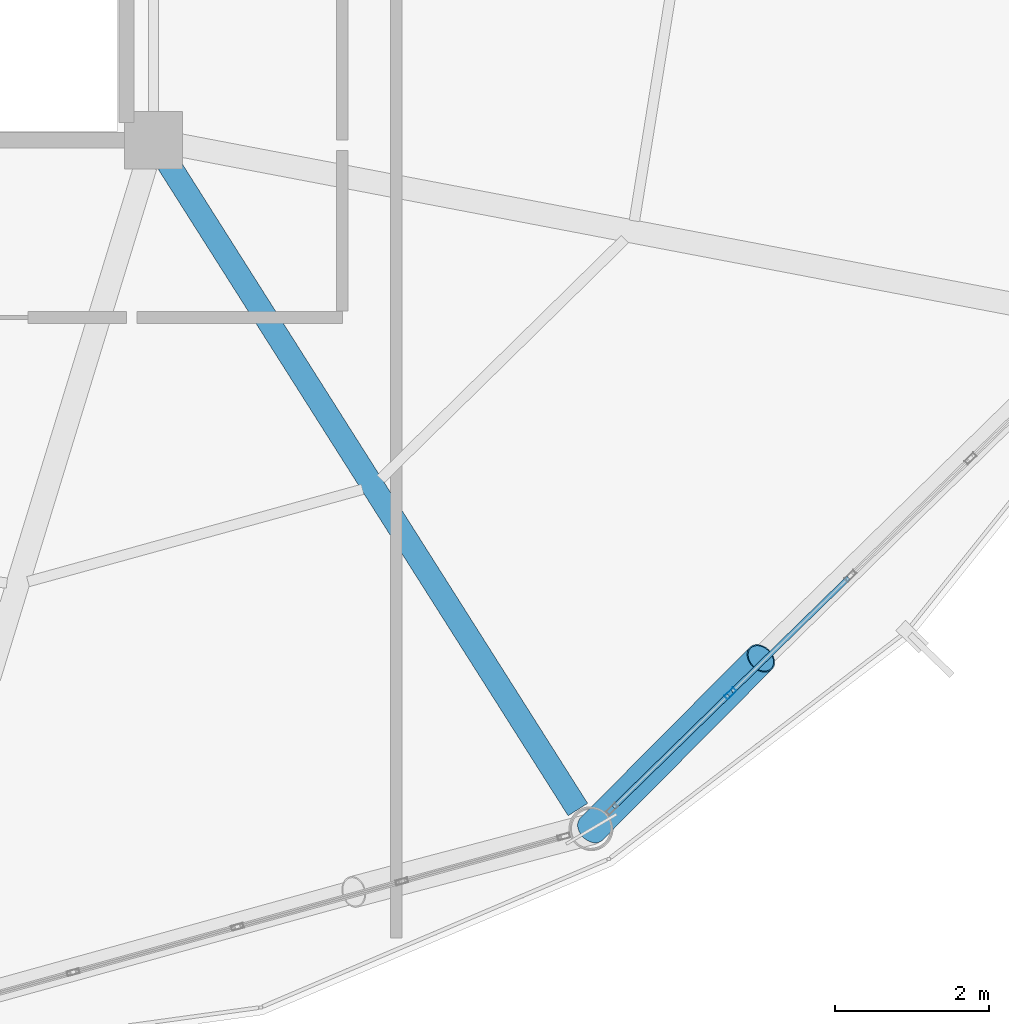
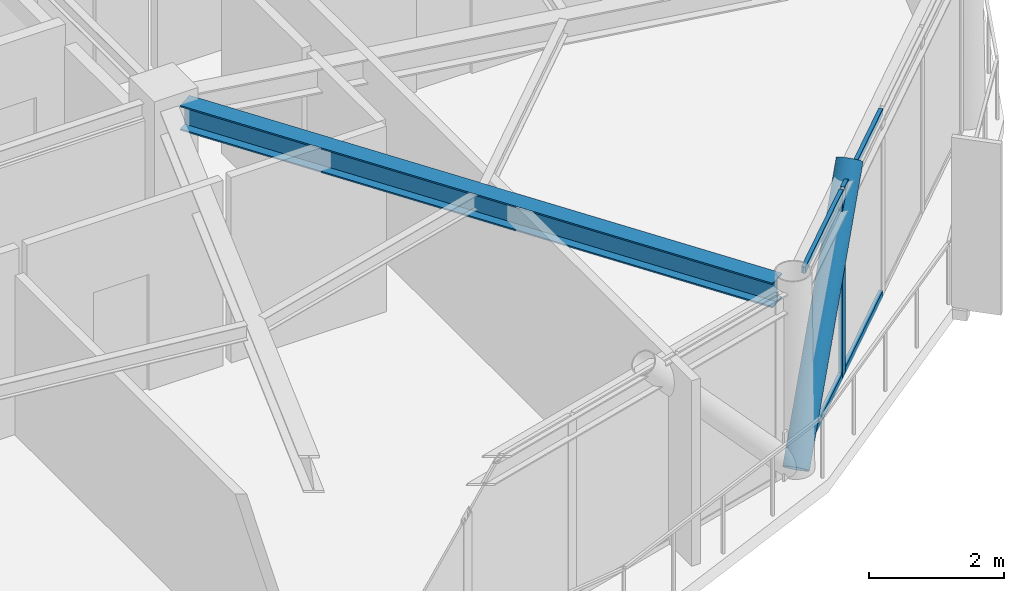
# One storey, part 8 of 27: 6 members, 1 beam, 1 element without a shape of its own.
"""IFC4 building model written with IfcOpenShell, lengths in metres."""

import ifcopenshell
import ifcopenshell.guid

model = None  # the IFC model being written
_history = None  # IfcOwnerHistory: only IFC2X3 demands one
_inside = {}  # id of a spatial element -> (the spatial element, [elements in it])
_under = {}  # id of a project, library or spatial element -> (it, [spatial elements below it])
_declared = {}  # id of a project -> (the project, [libraries it declares])
_typed = {}  # id of a type object -> (the type object, [elements of that type])
_made_of = {}  # id of a material, layer set ... -> (it, [elements and type objects made of it])


def new_model(schema):
    """Start an empty IFC model of exactly this schema.

    Asked for "IFC4X3", IfcOpenShell would pick the latest addendum, in which some entities
    have other attributes; the version numbers below select the first issue.
    IFC2X3 requires an IfcOwnerHistory on every rooted entity: one is made here for all.
    """
    global model, _history
    if schema == "IFC4X3":
        model = ifcopenshell.file(schema_version=(4, 3, 0, 0))
    else:
        model = ifcopenshell.file(schema=schema)
    _inside.clear()
    _under.clear()
    _declared.clear()
    _typed.clear()
    _made_of.clear()
    _history = None
    if model.schema == "IFC2X3":
        org = make("IfcOrganization", Name="unknown")
        user = make(
            "IfcPersonAndOrganization",
            ThePerson=make("IfcPerson", FamilyName="unknown"),
            TheOrganization=org,
        )
        app = make(
            "IfcApplication",
            ApplicationDeveloper=org,
            Version="unknown",
            ApplicationFullName="unknown",
            ApplicationIdentifier="unknown",
        )
        _history = make(
            "IfcOwnerHistory",
            OwningUser=user,
            OwningApplication=app,
            ChangeAction="ADDED",
            CreationDate=0,
        )
    return model


def make(cls, **values):
    """One entity of the class cls with the attributes given. An attribute that is None is left unset."""
    return model.create_entity(
        cls, **{name: value for name, value in values.items() if value is not None}
    )


def rooted(cls, **values):
    """An entity with a GlobalId (a new one), such as an element, a storey or a relation."""
    return make(cls, GlobalId=ifcopenshell.guid.new(), OwnerHistory=_history, **values)


def si_unit(unit_type, name, prefix=None):
    """IfcSIUnit, for example si_unit("LENGTHUNIT", "METRE", prefix="MILLI")."""
    return make("IfcSIUnit", UnitType=unit_type, Prefix=prefix, Name=name)


def assignment(units):
    """IfcUnitAssignment: the units of a project."""
    return None if units is None else make("IfcUnitAssignment", Units=units)


def point(xyz):
    """IfcCartesianPoint."""
    return None if xyz is None else make("IfcCartesianPoint", Coordinates=xyz)


def direction(xyz):
    """IfcDirection."""
    return None if xyz is None else make("IfcDirection", DirectionRatios=xyz)


def frame(location, z_axis=None, x_axis=None):
    """IfcAxis2Placement3D, a coordinate frame: its origin and axes. An axis left out is left unset."""
    return make(
        "IfcAxis2Placement3D",
        Location=point(location),
        Axis=direction(z_axis),
        RefDirection=direction(x_axis),
    )


def frame_2d(location, x_axis=None):
    """IfcAxis2Placement2D, a coordinate frame in the plane: its origin and x axis."""
    return make(
        "IfcAxis2Placement2D", Location=point(location), RefDirection=direction(x_axis)
    )


def origin():
    """The frame at (0, 0, 0) with its axes left unset."""
    return frame((0.0, 0.0, 0.0))


def origin_2d():
    """The frame at (0, 0) in the plane with its x axis left unset."""
    return frame_2d((0.0, 0.0))


def place(relative_to, where):
    """IfcLocalPlacement: puts the frame where relative to a parent placement (None: the world)."""
    return make(
        "IfcLocalPlacement", PlacementRelTo=relative_to, RelativePlacement=where
    )


def context(
    kind, dimensions, precision=None, world=None, true_north=None, identifier=None
):
    """IfcGeometricRepresentationContext, for example the 3D "Model" context."""
    return make(
        "IfcGeometricRepresentationContext",
        ContextIdentifier=identifier,
        ContextType=kind,
        CoordinateSpaceDimension=dimensions,
        Precision=precision,
        WorldCoordinateSystem=world,
        TrueNorth=true_north,
    )


def subcontext(parent, identifier, kind, view, scale=None):
    """IfcGeometricRepresentationSubContext, for example "Body" below "Model"."""
    return make(
        "IfcGeometricRepresentationSubContext",
        ContextIdentifier=identifier,
        ContextType=kind,
        ParentContext=parent,
        TargetScale=scale,
        TargetView=view,
    )


def project(units=None, contexts=None):
    """IfcProject with its units and contexts."""
    return rooted(
        "IfcProject",
        Name="project",
        RepresentationContexts=contexts,
        UnitsInContext=assignment(units),
    )


def spatial(cls, under=None, at=None, **own):
    """A site, building, storey or space (cls), placed at a placement, below another one or the project."""
    s = rooted(cls, ObjectPlacement=at, **own)
    if under is not None:
        _under.setdefault(under.id(), (under, []))[1].append(s)
    return s


def profile(cls, at=None, kind="AREA", **sizes):
    """A parametric profile (cls). Its sizes go by their IFC names, for example OverallWidth=200.0."""
    return make(cls, ProfileType=kind, Position=at, **sizes)


def hollow_rectangle(**sizes):
    """IfcRectangleHollowProfileDef."""
    return profile("IfcRectangleHollowProfileDef", **sizes)


def hollow_circle(**sizes):
    """IfcCircleHollowProfileDef."""
    return profile("IfcCircleHollowProfileDef", **sizes)


def i_section(**sizes):
    """IfcIShapeProfileDef."""
    return profile("IfcIShapeProfileDef", **sizes)


def extrude(swept, where, along, depth):
    """IfcExtrudedAreaSolid: the profile swept, set in the frame where, extruded along a direction by depth."""
    return make(
        "IfcExtrudedAreaSolid",
        SweptArea=swept,
        Position=where,
        ExtrudedDirection=direction(along),
        Depth=depth,
    )


def shape(context_of_items, identifier, shape_type, items):
    """IfcShapeRepresentation: the items that make up one representation, for example the "Body"."""
    return make(
        "IfcShapeRepresentation",
        ContextOfItems=context_of_items,
        RepresentationIdentifier=identifier,
        RepresentationType=shape_type,
        Items=items,
    )


def material(Name=None, Category=None):
    """IfcMaterial."""
    return make("IfcMaterial", Name=Name, Category=Category)


def layer(
    of_material, thickness, ventilated=None, Name=None, Category=None, Priority=None
):
    """IfcMaterialLayer: one layer of a wall or slab, of a material (None: an air gap)."""
    return make(
        "IfcMaterialLayer",
        Material=of_material,
        LayerThickness=thickness,
        IsVentilated=ventilated,
        Name=Name,
        Category=Category,
        Priority=Priority,
    )


def layer_set(layers, Name=None):
    """IfcMaterialLayerSet."""
    return make("IfcMaterialLayerSet", MaterialLayers=layers, LayerSetName=Name)


def material_profile(
    of_material, cross_section, Name=None, Category=None, Priority=None
):
    """IfcMaterialProfile: a cross section and its material."""
    return make(
        "IfcMaterialProfile",
        Name=Name,
        Material=of_material,
        Profile=cross_section,
        Priority=Priority,
        Category=Category,
    )


def profile_set(profiles, Name=None, composite=None):
    """IfcMaterialProfileSet."""
    return make(
        "IfcMaterialProfileSet",
        Name=Name,
        MaterialProfiles=profiles,
        CompositeProfile=composite,
    )


def made_of(thing, what):
    """Note that an element or type object is made of a material, layer set ...; save() writes the relation."""
    if what is not None:
        _made_of.setdefault(what.id(), (what, []))[1].append(thing)
    return thing


def type_object(cls, material=None, **own):
    """A type object (cls), such as IfcWallType, which elements share."""
    return made_of(rooted(cls, **own), material)


def element(
    cls,
    number,
    at=None,
    inside=None,
    cuts=None,
    type_object=None,
    material=None,
    context=None,
    identifier="Body",
    shape_type=None,
    held_by="IfcProductDefinitionShape",
    body=None,
    shapes=None,
    **own,
):
    """One element of the class cls, such as IfcWall. Its Tag is "e" and its number.

    at: its placement. inside: the storey or other place that contains it. cuts: it is an
    opening in that element (IfcRelVoidsElement). A single representation is given by context,
    identifier, shape_type and body (its items); several are given by shapes. held_by: the class
    of the entity that holds the representations. save() writes the other relations.
    """
    e = rooted(cls, Tag="e%d" % number, ObjectPlacement=at, **own)
    if body is not None:
        shapes = [shape(context, identifier, shape_type, body)]
    if shapes is not None:
        e.Representation = make(held_by, Representations=shapes)
    if inside is not None:
        _inside.setdefault(inside.id(), (inside, []))[1].append(e)
    if cuts is not None:
        rooted(
            "IfcRelVoidsElement", RelatingBuildingElement=cuts, RelatedOpeningElement=e
        )
    if type_object is not None:
        _typed.setdefault(type_object.id(), (type_object, []))[1].append(e)
    return made_of(e, material)


def aggregate(whole, parts):
    """IfcRelAggregates: a whole, such as a stair, and the parts it consists of."""
    return rooted("IfcRelAggregates", RelatingObject=whole, RelatedObjects=parts)


def save(model, path):
    """Write the relations noted so far, then the file.

    IfcRelAggregates (storeys below a building ...), IfcRelContainedInSpatialStructure (elements
    in a storey), IfcRelDefinesByType, IfcRelAssociatesMaterial and IfcRelDeclares: one each for
    every whole, place, type object, material and project.
    """
    for whole, parts in _under.values():
        aggregate(whole, parts)
    for where, things in _inside.values():
        rooted(
            "IfcRelContainedInSpatialStructure",
            RelatedElements=things,
            RelatingStructure=where,
        )
    for kind, things in _typed.values():
        rooted("IfcRelDefinesByType", RelatedObjects=things, RelatingType=kind)
    for what, things in _made_of.values():
        rooted("IfcRelAssociatesMaterial", RelatedObjects=things, RelatingMaterial=what)
    for by, libraries in _declared.values():
        rooted("IfcRelDeclares", RelatingContext=by, RelatedDefinitions=libraries)
    model.write(path)


model = new_model("IFC4")

# Units and contexts
model_context = context("Model", 3, precision=1e-05, world=origin(), true_north=direction((0.0, 1.0)))
body_context = subcontext(model_context, "Body", "Model", "MODEL_VIEW")
ifc_project = project(units=[si_unit("LENGTHUNIT", "METRE"), si_unit("AREAUNIT", "SQUARE_METRE"), si_unit("VOLUMEUNIT", "CUBIC_METRE"), si_unit("PLANEANGLEUNIT", "RADIAN"), si_unit("MASSUNIT", "GRAM", prefix="KILO")], contexts=[model_context])

# Site, building, storey
site_placement = place(None, origin())
site = spatial("IfcSite", under=ifc_project, at=site_placement, CompositionType="ELEMENT")
building_placement = place(site_placement, origin())
building = spatial("IfcBuilding", under=site, at=building_placement, Name="Varnakorn Sky Granary", CompositionType="ELEMENT")
storey_placement = place(building_placement, frame((0.0, 0.0, 249.0)))
storey = spatial("IfcBuildingStorey", under=building, at=storey_placement, Name="L63", CompositionType="ELEMENT", Elevation=249.0)

# Beam
ifc_material_1 = material(Name="Steel S355JR", Category="steel")
ifc_material_profile_1 = material_profile(ifc_material_1, i_section(OverallWidth=0.300048828125, OverallDepth=0.449951171875, WebThickness=0.013916015625, FlangeThickness=0.02587890625, at=origin_2d()), Name="HE 450 B")
ifc_profile_set_1 = profile_set([ifc_material_profile_1], Name="Steel S355JR")
beam_type = type_object("IfcBeamType", Name="BM-RAD-Z5", PredefinedType="BEAM", material=ifc_profile_set_1)
beam_placement = place(storey_placement, frame((8.5400390625, -6.89990234375, 3.135009765625), z_axis=(0.535469280703, -0.844554704814, 0.0), x_axis=(0.844554704814, 0.535469280703, 0.0)))
element("IfcBeam", 1, at=beam_placement, inside=storey, type_object=beam_type, Name="Radial Floor Girder RG11 L63", PredefinedType="BEAM", context=body_context, shape_type="SweptSolid", body=[
    extrude(i_section(OverallWidth=0.300048828125, OverallDepth=0.449951171875, WebThickness=0.013916015625, FlangeThickness=0.02587890625, at=origin_2d()), origin(), (0.0, 0.0, 1.0), 9.9248046875),
])

# Curtain wall, members
ifc_material_2 = material(Name="Anodised Bronze Aluminium Alloy 6063-T6", Category="aluminium")
ifc_layer = layer(ifc_material_2, 0.159912109375, Name="Anodised Bronze Aluminium Alloy 6063-T6")
ifc_layer_set = layer_set([ifc_layer], Name="Anodised Bronze Aluminium Alloy 6063-T6")
curtain_wall_type = type_object("IfcCurtainWallType", Name="CW-OFF-1", PredefinedType="USERDEFINED", material=ifc_layer_set)
curtain_wall_placement = place(storey_placement, origin())
curtain_wall = element("IfcCurtainWall", 2, at=curtain_wall_placement, inside=storey, type_object=curtain_wall_type, Name="Unitised Curtain Wall CW6 CW-L63-B11", ObjectType="CURTAIN WALL", PredefinedType="USERDEFINED")
ifc_material_profile_2 = material_profile(ifc_material_2, hollow_rectangle(XDim=0.06494140625, YDim=0.159912109375, WallThickness=0.00341796875, at=origin_2d()), Name="ALU MULL 65x160")
ifc_profile_set_2 = profile_set([ifc_material_profile_2], Name="Anodised Bronze Aluminium Alloy 6063-T6")
member_type_1 = type_object("IfcMemberType", Name="CW-OFF-1-MULL", PredefinedType="MULLION", material=ifc_profile_set_2)
member_1_placement = place(storey_placement, frame((15.83154296875, -13.774658203125, 0.0), z_axis=(0.0, 0.0, 1.0), x_axis=(0.698832913663, -0.71528494936, 0.0)))
member_1 = element("IfcMember", 3, at=member_1_placement, type_object=member_type_1, Name="CW6 mullion 4", PredefinedType="MULLION", context=body_context, shape_type="SweptSolid", body=[
    extrude(hollow_rectangle(XDim=0.06494140625, YDim=0.159912109375, WallThickness=0.00341796875, at=origin_2d()), origin(), (0.0, 0.0, 1.0), 3.360107421875),
])
ifc_material_profile_3 = material_profile(ifc_material_2, hollow_rectangle(XDim=0.06494140625, YDim=0.1201171875, WallThickness=0.00341796875, at=origin_2d()), Name="ALU TRAN 65x120")
ifc_profile_set_3 = profile_set([ifc_material_profile_3], Name="Anodised Bronze Aluminium Alloy 6063-T6")
member_type_2 = type_object("IfcMemberType", Name="CW-OFF-1-TRAN", PredefinedType="USERDEFINED", material=ifc_profile_set_3)
member_2_placement = place(storey_placement, frame((17.366943359375, -12.274658203125, 0.032470703125), z_axis=(-0.715315764918, -0.698801371249, 0.0), x_axis=(0.698801371249, -0.715315764918, 0.0)))
member_2 = element("IfcMember", 4, at=member_2_placement, type_object=member_type_2, Name="CW6 transom 3.1", ObjectType="TRANSOM", PredefinedType="USERDEFINED", context=body_context, shape_type="SweptSolid", body=[
    extrude(hollow_rectangle(XDim=0.06494140625, YDim=0.1201171875, WallThickness=0.00341796875, at=origin_2d()), origin(), (0.0, 0.0, 1.0), 2.114013671875),
])
member_3_placement = place(storey_placement, frame((17.366943359375, -12.274658203125, 3.327392578125), z_axis=(-0.715315764918, -0.698801371249, 0.0), x_axis=(0.698801371249, -0.715315764918, 0.0)))
member_3 = element("IfcMember", 5, at=member_3_placement, type_object=member_type_2, Name="CW6 transom 3.2", ObjectType="TRANSOM", PredefinedType="USERDEFINED", context=body_context, shape_type="SweptSolid", body=[
    extrude(hollow_rectangle(XDim=0.06494140625, YDim=0.1201171875, WallThickness=0.00341796875, at=origin_2d()), origin(), (0.0, 0.0, 1.0), 2.114013671875),
])
member_4_placement = place(storey_placement, frame((15.80810546875, -13.79736328125, 0.032470703125), z_axis=(-0.715211185999, -0.698908405603, 0.0), x_axis=(0.698908405603, -0.715211185999, 0.0)))
member_4 = element("IfcMember", 6, at=member_4_placement, type_object=member_type_2, Name="CW6 transom 4.1", ObjectType="TRANSOM", PredefinedType="USERDEFINED", context=body_context, shape_type="SweptSolid", body=[
    extrude(hollow_rectangle(XDim=0.06494140625, YDim=0.1201171875, WallThickness=0.00341796875, at=origin_2d()), origin(), (0.0, 0.0, 1.0), 2.08154296875),
])
member_5_placement = place(storey_placement, frame((15.80810546875, -13.79736328125, 3.327392578125), z_axis=(-0.715211185999, -0.698908405603, 0.0), x_axis=(0.698908405603, -0.715211185999, 0.0)))
member_5 = element("IfcMember", 7, at=member_5_placement, type_object=member_type_2, Name="CW6 transom 4.2", ObjectType="TRANSOM", PredefinedType="USERDEFINED", context=body_context, shape_type="SweptSolid", body=[
    extrude(hollow_rectangle(XDim=0.06494140625, YDim=0.1201171875, WallThickness=0.00341796875, at=origin_2d()), origin(), (0.0, 0.0, 1.0), 2.08154296875),
])
aggregate(curtain_wall, [member_1, member_2, member_3, member_4, member_5])

# Member
ifc_material_3 = material(Name="Steel S460M", Category="steel")
ifc_material_profile_4 = material_profile(ifc_material_3, hollow_circle(Radius=0.203125, WallThickness=0.01611328125, at=origin_2d()), Name="CHS 406.4x16")
ifc_profile_set_4 = profile_set([ifc_material_profile_4], Name="Steel S460M")
member_type_3 = type_object("IfcMemberType", Name="MB-DIAG-T4", PredefinedType="BRACE", material=ifc_profile_set_4)
member_6_placement = place(storey_placement, frame((14.030029296875, -15.534912109375, 0.0), z_axis=(0.469497906983, 0.47299228154, 0.745553497036), x_axis=(-0.709723570726, 0.704480271659, 0.0)))
element("IfcMember", 8, at=member_6_placement, inside=storey, type_object=member_type_3, Name="Perimeter CHS Diagrid Brace DG11 L63", PredefinedType="BRACE", context=body_context, shape_type="SweptSolid", body=[
    extrude(hollow_circle(Radius=0.203125, WallThickness=0.01611328125, at=origin_2d()), origin(), (0.0, 0.0, 1.0), 4.68115234375),
])

save(model, "model.ifc")
